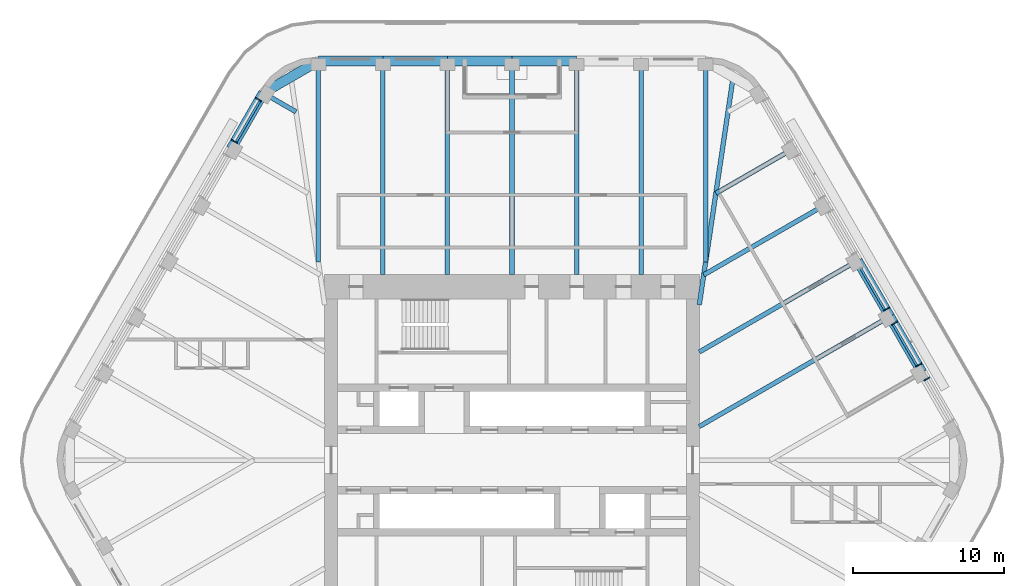
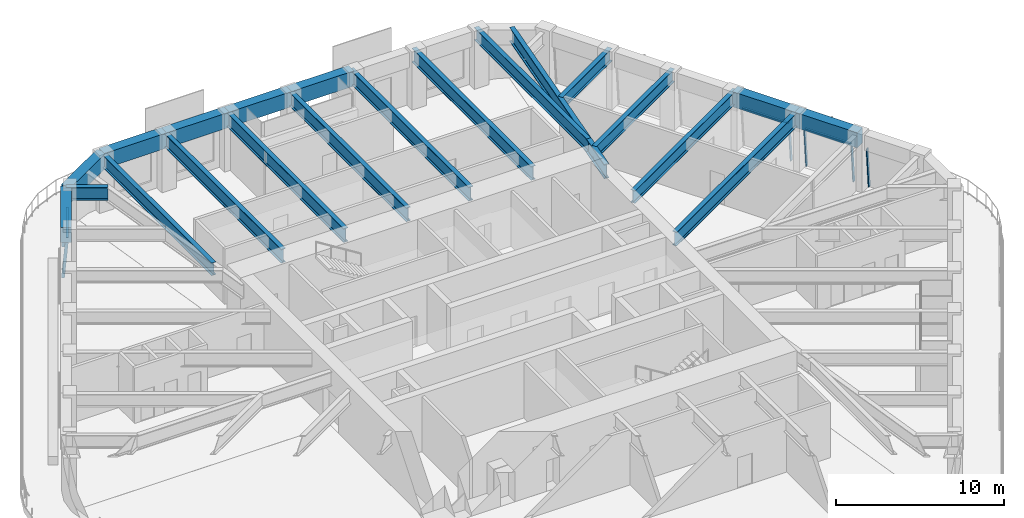
# One storey, part 9 of 19: 21 beams, 9 members, 4 elements without a shape of their own.
"""IFC4 building model written with IfcOpenShell, lengths in metres."""

from ifc_helpers import new_model, si_unit, direction, frame, origin, origin_2d, place, context, subcontext, project, spatial, rectangle, i_section, extrude, material, material_profile, profile_set, type_object, element, aggregate, save


model = new_model("IFC4")

# Units and contexts
model_context = context("Model", 3, precision=1e-05, world=origin(), true_north=direction((0.0, 1.0)))
body_context = subcontext(model_context, "Body", "Model", "MODEL_VIEW")
ifc_project = project(units=[si_unit("LENGTHUNIT", "METRE"), si_unit("AREAUNIT", "SQUARE_METRE"), si_unit("VOLUMEUNIT", "CUBIC_METRE"), si_unit("PLANEANGLEUNIT", "RADIAN"), si_unit("MASSUNIT", "GRAM", prefix="KILO")], contexts=[model_context])

# Site, building, storey
site_placement = place(None, origin())
site = spatial("IfcSite", under=ifc_project, at=site_placement, CompositionType="ELEMENT")
building_placement = place(site_placement, origin())
building = spatial("IfcBuilding", under=site, at=building_placement, Name="Tarfa Lantern Tower", CompositionType="ELEMENT")
storey_placement = place(building_placement, frame((0.0, 0.0, 340.89990234375)))
storey = spatial("IfcBuildingStorey", under=building, at=storey_placement, Name="L77", CompositionType="ELEMENT", Elevation=340.89990234375)

# Curtain wall, member
ifc_material_1 = material(Name="Aluminium framed curtain wall", Category="aluminium")
curtain_wall_type = type_object("IfcCurtainWallType", Name="CW4 CANTED GLAZING EXECUTIVE ZONE 2900", PredefinedType="USERDEFINED", material=ifc_material_1)
curtain_wall_1_placement = place(storey_placement, origin())
curtain_wall_1 = element("IfcCurtainWall", 1, at=curtain_wall_1_placement, inside=storey, type_object=curtain_wall_type, Name="CW4 NE L77", ObjectType="CURTAIN WALL", PredefinedType="USERDEFINED")
ifc_material_2 = material(Name="Aluminium mullion", Category="aluminium")
ifc_material_profile_1 = material_profile(ifc_material_2, rectangle(XDim=0.06494140625, YDim=0.199951171875, at=origin_2d()), Name="AL MULLION 65x200")
ifc_profile_set_1 = profile_set([ifc_material_profile_1], Name="Aluminium mullion")
member_type_1 = type_object("IfcMemberType", Name="CWM1 MULLION 65x200", PredefinedType="MULLION", material=ifc_profile_set_1)
member_1_placement = place(storey_placement, frame((27.6279296875, 5.447265625, 0.0), z_axis=(-0.074393603155, -0.042941967097, 0.996303959277), x_axis=(0.499919672301, -0.866071776036, 0.0)))
member_1 = element("IfcMember", 2, at=member_1_placement, type_object=member_type_1, Name="CW4 mullion 2", PredefinedType="MULLION", context=body_context, shape_type="SweptSolid", body=[
    extrude(rectangle(XDim=0.06494140625, YDim=0.199951171875, at=origin_2d()), origin(), (0.0, 0.0, 1.0), 2.910888671875),
])
aggregate(curtain_wall_1, [member_1])

# Curtain wall, members
curtain_wall_2_placement = place(storey_placement, origin())
curtain_wall_2 = element("IfcCurtainWall", 3, at=curtain_wall_2_placement, inside=storey, type_object=curtain_wall_type, Name="CW4 NE L77", ObjectType="CURTAIN WALL", PredefinedType="USERDEFINED")
member_2_placement = place(storey_placement, frame((27.095458984375, 6.369384765625, 0.0), z_axis=(-0.074393603155, -0.042941967097, 0.996303959277), x_axis=(0.499919672301, -0.866071776036, 0.0)))
member_2 = element("IfcMember", 4, at=member_2_placement, type_object=member_type_1, Name="CW4 mullion 1", PredefinedType="MULLION", context=body_context, shape_type="SweptSolid", body=[
    extrude(rectangle(XDim=0.06494140625, YDim=0.199951171875, at=origin_2d()), origin(), (0.0, 0.0, 1.0), 2.910888671875),
])
member_3_placement = place(storey_placement, frame((25.48681640625, 9.155517578125, 0.0), z_axis=(-0.074393603155, -0.042941967097, 0.996303959277), x_axis=(0.499919672301, -0.866071776036, 0.0)))
member_3 = element("IfcMember", 5, at=member_3_placement, type_object=member_type_1, Name="CW4 mullion 2", PredefinedType="MULLION", context=body_context, shape_type="SweptSolid", body=[
    extrude(rectangle(XDim=0.06494140625, YDim=0.199951171875, at=origin_2d()), origin(), (0.0, 0.0, 1.0), 2.910888671875),
])

# Curtain wall, member
curtain_wall_3_placement = place(storey_placement, origin())
curtain_wall_3 = element("IfcCurtainWall", 6, at=curtain_wall_3_placement, inside=storey, type_object=curtain_wall_type, Name="CW4 NE L77", ObjectType="CURTAIN WALL", PredefinedType="USERDEFINED")
member_4_placement = place(storey_placement, frame((24.954345703125, 10.077880859375, 0.0), z_axis=(-0.074393603155, -0.042941967097, 0.996303959277), x_axis=(0.499919672301, -0.866071776036, 0.0)))
member_4 = element("IfcMember", 7, at=member_4_placement, type_object=member_type_1, Name="CW4 mullion 1", PredefinedType="MULLION", context=body_context, shape_type="SweptSolid", body=[
    extrude(rectangle(XDim=0.06494140625, YDim=0.199951171875, at=origin_2d()), origin(), (0.0, 0.0, 1.0), 2.910888671875),
])

# Curtain wall, members
curtain_wall_4_placement = place(storey_placement, origin())
curtain_wall_4 = element("IfcCurtainWall", 8, at=curtain_wall_4_placement, inside=storey, type_object=curtain_wall_type, Name="CW4 NW L77", ObjectType="CURTAIN WALL", PredefinedType="USERDEFINED")
member_5_placement = place(storey_placement, frame((-16.9228515625, 23.98876953125, 0.0), z_axis=(0.074393603155, -0.042941967097, 0.996303959277), x_axis=(0.499919672301, 0.866071776036, 0.0)))
member_5 = element("IfcMember", 9, at=member_5_placement, type_object=member_type_1, Name="CW4 mullion 1", PredefinedType="MULLION", context=body_context, shape_type="SweptSolid", body=[
    extrude(rectangle(XDim=0.06494140625, YDim=0.199951171875, at=origin_2d()), origin(), (0.0, 0.0, 1.0), 2.910888671875),
])
member_6_placement = place(storey_placement, frame((-18.53125, 21.202880859375, 0.0), z_axis=(0.074393603155, -0.042941967097, 0.996303959277), x_axis=(0.499919672301, 0.866071776036, 0.0)))
member_6 = element("IfcMember", 10, at=member_6_placement, type_object=member_type_1, Name="CW4 mullion 2", PredefinedType="MULLION", context=body_context, shape_type="SweptSolid", body=[
    extrude(rectangle(XDim=0.06494140625, YDim=0.199951171875, at=origin_2d()), origin(), (0.0, 0.0, 1.0), 2.910888671875),
])

# Member
ifc_material_3 = material(Name="Aluminium transom", Category="aluminium")
ifc_material_profile_2 = material_profile(ifc_material_3, rectangle(XDim=0.14990234375, YDim=0.06494140625, at=origin_2d()), Name="AL TRANSOM 150x65")
ifc_profile_set_2 = profile_set([ifc_material_profile_2], Name="Aluminium transom")
member_type_2 = type_object("IfcMemberType", Name="CWT1 TRANSOM 150x65", PredefinedType="USERDEFINED", material=ifc_profile_set_2)
member_7_placement = place(storey_placement, frame((26.864990234375, 6.27392578125, 2.86767578125), z_axis=(-0.499979472441, 0.866037255052, 0.0), x_axis=(-0.866037255052, -0.499979472441, 0.0)))
member_7 = element("IfcMember", 11, at=member_7_placement, type_object=member_type_2, Name="CW4 transom 1.2", ObjectType="TRANSOM", PredefinedType="USERDEFINED", context=body_context, shape_type="SweptSolid", body=[
    extrude(rectangle(XDim=0.14990234375, YDim=0.06494140625, at=origin_2d()), origin(), (0.0, 0.0, 1.0), 3.152099609375),
])

aggregate(curtain_wall_2, [member_2, member_3, member_7])

member_8_placement = place(storey_placement, frame((24.72412109375, 9.982421875, 2.86767578125), z_axis=(-0.500037562771, 0.866003715822, 0.0), x_axis=(-0.866003715822, -0.500037562771, 0.0)))
member_8 = element("IfcMember", 12, at=member_8_placement, type_object=member_type_2, Name="CW4 transom 1.2", ObjectType="TRANSOM", PredefinedType="USERDEFINED", context=body_context, shape_type="SweptSolid", body=[
    extrude(rectangle(XDim=0.14990234375, YDim=0.06494140625, at=origin_2d()), origin(), (0.0, 0.0, 1.0), 3.152099609375),
])

aggregate(curtain_wall_3, [member_4, member_8])

member_9_placement = place(storey_placement, frame((-16.724853515625, 23.837158203125, 2.86767578125), z_axis=(-0.500037562771, -0.866003715822, 0.0), x_axis=(0.866003715822, -0.500037562771, 0.0)))
member_9 = element("IfcMember", 13, at=member_9_placement, type_object=member_type_2, Name="CW4 transom 1.2", ObjectType="TRANSOM", PredefinedType="USERDEFINED", context=body_context, shape_type="SweptSolid", body=[
    extrude(rectangle(XDim=0.14990234375, YDim=0.06494140625, at=origin_2d()), origin(), (0.0, 0.0, 1.0), 3.152099609375),
])

aggregate(curtain_wall_4, [member_5, member_6, member_9])

# Beams
ifc_material_4 = material(Name="Concrete C80/95", Category="concrete")
ifc_material_profile_3 = material_profile(ifc_material_4, rectangle(XDim=0.64990234375, YDim=1.10009765625, at=origin_2d()), Name="RC 650x1100")
ifc_profile_set_3 = profile_set([ifc_material_profile_3], Name="Concrete C80/95")
beam_type_1 = type_object("IfcBeamType", Name="EB4 RC 650x1100", PredefinedType="SPANDREL", material=ifc_profile_set_3)
beam_1_placement = place(storey_placement, frame((27.205810546875, 5.818359375, 3.4501953125), z_axis=(-0.500026801138, 0.866009929587, 0.0), x_axis=(-0.866009929587, -0.500026801138, 0.0)))
element("IfcBeam", 14, at=beam_1_placement, inside=storey, type_object=beam_type_1, Name="Edge beam NE1", PredefinedType="SPANDREL", context=body_context, shape_type="SweptSolid", body=[
    extrude(rectangle(XDim=0.64990234375, YDim=1.10009765625, at=origin_2d()), origin(), (0.0, 0.0, 1.0), 4.281982421875),
])
beam_2_placement = place(storey_placement, frame((25.064697265625, 9.526611328125, 3.4501953125), z_axis=(-0.500002112793, 0.866024183959, 0.0), x_axis=(-0.866024183959, -0.500002112793, 0.0)))
element("IfcBeam", 15, at=beam_2_placement, inside=storey, type_object=beam_type_1, Name="Edge beam NE2", PredefinedType="SPANDREL", context=body_context, shape_type="SweptSolid", body=[
    extrude(rectangle(XDim=0.64990234375, YDim=1.10009765625, at=origin_2d()), origin(), (0.0, 0.0, 1.0), 4.2822265625),
])
for number, where, z_axis, x_axis, name in (
    (16, (4.281982421875, 26.469970703125, 3.4501953125), (-1.0, 0.0, 0.0), (0.0, -1.0, 0.0), "Edge beam N2"),
    (17, (0.0, 26.469970703125, 3.4501953125), (-1.0, 0.0, 0.0), (0.0, -1.0, 0.0), "Edge beam N3"),
    (18, (-4.281982421875, 26.469970703125, 3.4501953125), (-1.0, 0.0, 0.0), (0.0, -1.0, 0.0), "Edge beam N4"),
    (19, (-8.56396484375, 26.469970703125, 3.4501953125), (-1.0, 0.0, 0.0), (0.0, -1.0, 0.0), "Edge beam N5"),
):
    element("IfcBeam", number, at=place(storey_placement, frame(where, z_axis=z_axis, x_axis=x_axis)), inside=storey, type_object=beam_type_1, Name=name, PredefinedType="SPANDREL", context=body_context, shape_type="SweptSolid", body=[
        extrude(rectangle(XDim=0.64990234375, YDim=1.10009765625, at=origin_2d()), origin(), (0.0, 0.0, 1.0), 4.281982421875),
    ])
beam_3_placement = place(storey_placement, frame((-12.845947265625, 26.469970703125, 3.4501953125), z_axis=(-0.866048788483, -0.499959494327, 0.0), x_axis=(0.499959494327, -0.866048788483, 0.0)))
element("IfcBeam", 20, at=beam_3_placement, inside=storey, type_object=beam_type_1, Name="Edge beam N6", PredefinedType="SPANDREL", context=body_context, shape_type="SweptSolid", body=[
    extrude(rectangle(XDim=0.64990234375, YDim=1.10009765625, at=origin_2d()), origin(), (0.0, 0.0, 1.0), 4.219970703125),
])
beam_4_placement = place(storey_placement, frame((-16.500732421875, 24.360107421875, 3.4501953125), z_axis=(-0.499959351497, -0.866048870937, 0.0), x_axis=(0.866048870937, -0.499959351497, 0.0)))
element("IfcBeam", 21, at=beam_4_placement, inside=storey, type_object=beam_type_1, Name="Edge beam NW0", PredefinedType="SPANDREL", context=body_context, shape_type="SweptSolid", body=[
    extrude(rectangle(XDim=0.64990234375, YDim=1.10009765625, at=origin_2d()), origin(), (0.0, 0.0, 1.0), 4.281982421875),
])
ifc_material_5 = material(Name="Steel S460M", Category="steel")
ifc_material_profile_4 = material_profile(ifc_material_5, i_section(OverallWidth=0.302001953125, OverallDepth=1.008056640625, WebThickness=0.02099609375, FlangeThickness=0.0400390625, FilletRadius=0.030029296875, at=origin_2d()), Name="UB1016x305x349")
ifc_profile_set_4 = profile_set([ifc_material_profile_4], Name="Steel S460M")
beam_type_2 = type_object("IfcBeamType", Name="UB1016x305x349", PredefinedType="BEAM", material=ifc_profile_set_4)
beam_5_placement = place(storey_placement, frame((25.064697265625, 9.526611328125, 3.49609375), z_axis=(-0.866029591389, -0.499992746786, 0.0), x_axis=(0.499992746786, -0.866029591389, 0.0)))
element("IfcBeam", 22, at=beam_5_placement, inside=storey, type_object=beam_type_2, Name="Floor beam NE2", PredefinedType="BEAM", context=body_context, shape_type="SweptSolid", body=[
    extrude(i_section(OverallWidth=0.302001953125, OverallDepth=1.008056640625, WebThickness=0.02099609375, FlangeThickness=0.0400390625, FilletRadius=0.030029296875, at=origin_2d()), origin(), (0.0, 0.0, 1.0), 14.594970703125),
])
for number, where, z_axis, x_axis, name in (
    (23, (8.56396484375, 26.469970703125, 3.49609375), (0.0, -1.0, 0.0), (1.0, 0.0, 0.0), "Floor beam N1"),
    (24, (4.281982421875, 26.469970703125, 3.49609375), (0.0, -1.0, 0.0), (1.0, 0.0, 0.0), "Floor beam N2"),
    (25, (0.0, 26.469970703125, 3.49609375), (0.0, -1.0, 0.0), (1.0, 0.0, 0.0), "Floor beam N3"),
    (26, (-4.281982421875, 26.469970703125, 3.49609375), (0.0, -1.0, 0.0), (1.0, 0.0, 0.0), "Floor beam N4"),
    (27, (-8.56396484375, 26.469970703125, 3.49609375), (0.0, -1.0, 0.0), (1.0, 0.0, 0.0), "Floor beam N5"),
):
    element("IfcBeam", number, at=place(storey_placement, frame(where, z_axis=z_axis, x_axis=x_axis)), inside=storey, type_object=beam_type_2, Name=name, PredefinedType="BEAM", context=body_context, shape_type="SweptSolid", body=[
        extrude(i_section(OverallWidth=0.302001953125, OverallDepth=1.008056640625, WebThickness=0.02099609375, FlangeThickness=0.0400390625, FilletRadius=0.030029296875, at=origin_2d()), origin(), (0.0, 0.0, 1.0), 14.169921875),
    ])
ifc_material_profile_5 = material_profile(ifc_material_5, i_section(OverallWidth=0.30859375, OverallDepth=1.036376953125, WebThickness=0.030029296875, FlangeThickness=0.05419921875, FilletRadius=0.030029296875, at=origin_2d()), Name="UB1016x305x487")
ifc_profile_set_5 = profile_set([ifc_material_profile_5], Name="Steel S460M")
beam_type_3 = type_object("IfcBeamType", Name="UB1016x305x487", PredefinedType="BEAM", material=ifc_profile_set_5)
beam_6_placement = place(storey_placement, frame((12.425048828125, 10.300048828125, 3.48193359375), z_axis=(0.147127069073, 0.989117599452, 0.0), x_axis=(-0.989117599452, 0.147127069073, 0.0)))
element("IfcBeam", 28, at=beam_6_placement, inside=storey, type_object=beam_type_3, Name="Hip girder NE", PredefinedType="BEAM", context=body_context, shape_type="SweptSolid", body=[
    extrude(i_section(OverallWidth=0.30859375, OverallDepth=1.036376953125, WebThickness=0.030029296875, FlangeThickness=0.05419921875, FilletRadius=0.030029296875, at=origin_2d()), origin(), (0.0, 0.0, 1.0), 15.28125),
])
ifc_material_profile_6 = material_profile(ifc_material_5, i_section(OverallWidth=0.305419921875, OverallDepth=0.91845703125, WebThickness=0.017333984375, FlangeThickness=0.02783203125, FilletRadius=0.01904296875, at=origin_2d()), Name="UB914x305x253")
ifc_profile_set_6 = profile_set([ifc_material_profile_6], Name="Steel S460M")
beam_type_4 = type_object("IfcBeamType", Name="UB914x305x253", PredefinedType="BEAM", material=ifc_profile_set_6)
beam_7_placement = place(storey_placement, frame((22.923583984375, 13.235107421875, 3.541015625), z_axis=(-0.86601856927, -0.500011837539, 0.0), x_axis=(0.500011837539, -0.86601856927, 0.0)))
element("IfcBeam", 29, at=beam_7_placement, inside=storey, type_object=beam_type_4, Name="Floor beam NE3", PredefinedType="BEAM", context=body_context, shape_type="SweptSolid", body=[
    extrude(i_section(OverallWidth=0.305419921875, OverallDepth=0.91845703125, WebThickness=0.017333984375, FlangeThickness=0.02783203125, FilletRadius=0.01904296875, at=origin_2d()), origin(), (0.0, 0.0, 1.0), 12.122802734375),
])
beam_8_placement = place(storey_placement, frame((20.78271484375, 16.943359375, 3.541015625), z_axis=(-0.866021806508, -0.500006230613, 0.0), x_axis=(0.500006230613, -0.866021806508, 0.0)))
element("IfcBeam", 30, at=beam_8_placement, inside=storey, type_object=beam_type_4, Name="Floor beam NE4", PredefinedType="BEAM", context=body_context, shape_type="SweptSolid", body=[
    extrude(i_section(OverallWidth=0.305419921875, OverallDepth=0.91845703125, WebThickness=0.017333984375, FlangeThickness=0.02783203125, FilletRadius=0.01904296875, at=origin_2d()), origin(), (0.0, 0.0, 1.0), 9.30908203125),
])
beam_9_placement = place(storey_placement, frame((18.6416015625, 20.651611328125, 3.541015625), z_axis=(-0.866024549157, -0.500001480256, 0.0), x_axis=(0.500001480256, -0.866024549157, 0.0)))
element("IfcBeam", 31, at=beam_9_placement, inside=storey, type_object=beam_type_4, Name="Floor beam NE5", PredefinedType="BEAM", context=body_context, shape_type="SweptSolid", body=[
    extrude(i_section(OverallWidth=0.305419921875, OverallDepth=0.91845703125, WebThickness=0.017333984375, FlangeThickness=0.02783203125, FilletRadius=0.01904296875, at=origin_2d()), origin(), (0.0, 0.0, 1.0), 5.90771484375),
])
for number, where, z_axis, x_axis, name in (
    (32, (12.845947265625, 26.469970703125, 3.541015625), (0.0, -1.0, 0.0), (1.0, 0.0, 0.0), "Floor beam N0"),
    (33, (-12.845947265625, 26.469970703125, 3.541015625), (0.0, -1.0, 0.0), (1.0, 0.0, 0.0), "Floor beam N6"),
):
    element("IfcBeam", number, at=place(storey_placement, frame(where, z_axis=z_axis, x_axis=x_axis)), inside=storey, type_object=beam_type_4, Name=name, PredefinedType="BEAM", context=body_context, shape_type="SweptSolid", body=[
        extrude(i_section(OverallWidth=0.305419921875, OverallDepth=0.91845703125, WebThickness=0.017333984375, FlangeThickness=0.02783203125, FilletRadius=0.01904296875, at=origin_2d()), origin(), (0.0, 0.0, 1.0), 13.33935546875),
    ])
beam_10_placement = place(storey_placement, frame((-16.500732421875, 24.360107421875, 3.541015625), z_axis=(0.865992557167, -0.500056887695, 0.0), x_axis=(0.500056887695, 0.865992557167, 0.0)))
element("IfcBeam", 34, at=beam_10_placement, inside=storey, type_object=beam_type_4, Name="Floor beam NW0", PredefinedType="BEAM", context=body_context, shape_type="SweptSolid", body=[
    extrude(i_section(OverallWidth=0.305419921875, OverallDepth=0.91845703125, WebThickness=0.017333984375, FlangeThickness=0.02783203125, FilletRadius=0.01904296875, at=origin_2d()), origin(), (0.0, 0.0, 1.0), 2.506591796875),
])

save(model, "model.ifc")
